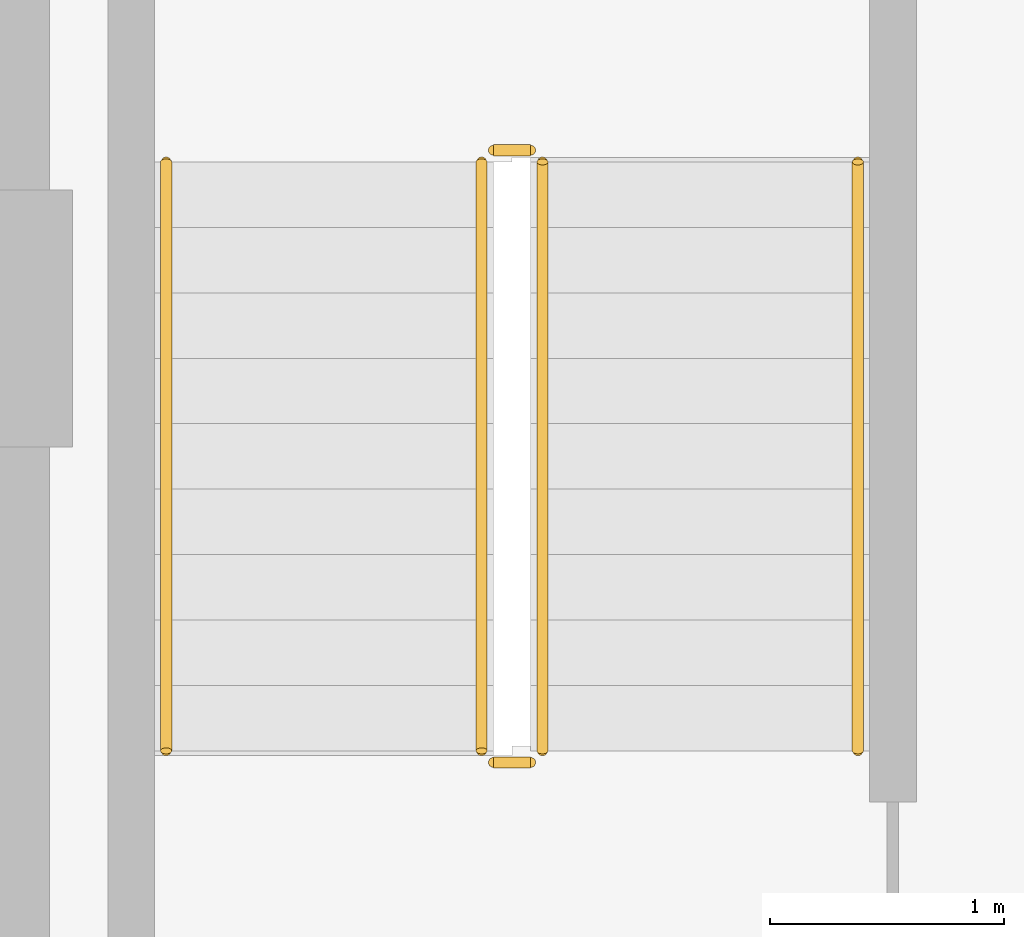
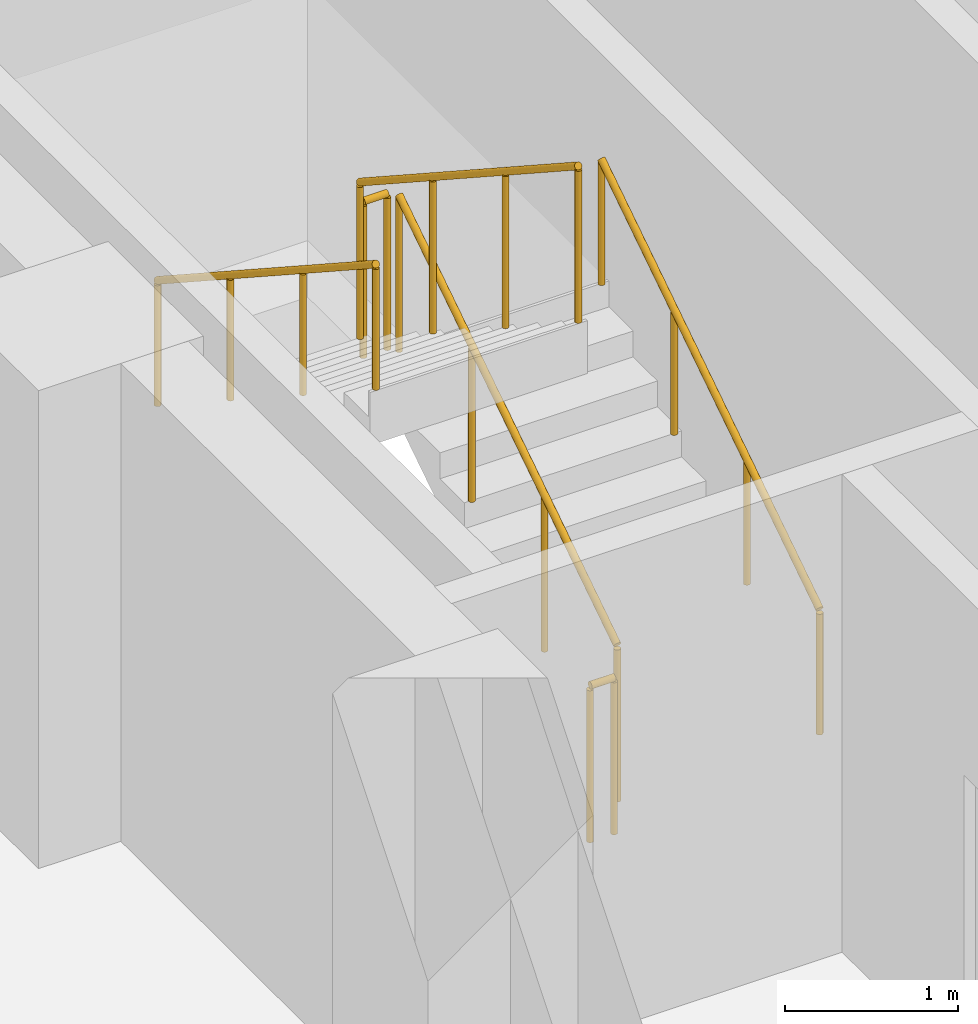
# One storey, part 12 of 15: 6 railings.
"""IFC4 building model written with IfcOpenShell, lengths in metres."""

from ifc_helpers import new_model, si_unit, direction, frame, origin, origin_2d, place, context, subcontext, project, spatial, circle, extrude, material, type_object, element, save


model = new_model("IFC4")

# Units and contexts
model_context = context("Model", 3, precision=1e-05, world=origin(), true_north=direction((0.0, 1.0)))
body_context = subcontext(model_context, "Body", "Model", "MODEL_VIEW")
ifc_project = project(units=[si_unit("LENGTHUNIT", "METRE"), si_unit("AREAUNIT", "SQUARE_METRE"), si_unit("VOLUMEUNIT", "CUBIC_METRE"), si_unit("PLANEANGLEUNIT", "RADIAN"), si_unit("MASSUNIT", "GRAM", prefix="KILO")], contexts=[model_context])

# Site, building, storey
site_placement = place(None, origin())
site = spatial("IfcSite", under=ifc_project, at=site_placement, CompositionType="ELEMENT")
building_placement = place(site_placement, origin())
building = spatial("IfcBuilding", under=site, at=building_placement, Name="Nuvemarco Arch Tower", CompositionType="ELEMENT")
storey_placement = place(building_placement, frame((0.0, 0.0, 86.0)))
storey = spatial("IfcBuildingStorey", under=building, at=storey_placement, Name="L22", CompositionType="ELEMENT", Elevation=86.0)

# Railings
ifc_material_1 = material(Name="Brushed stainless steel handrail", Category="steel")
railing_type_1 = type_object("IfcRailingType", Name="RL-HANDRAIL-900", PredefinedType="HANDRAIL", material=ifc_material_1)
railing_1_placement = place(storey_placement, frame((-13.590087890625, 2.64990234375, 0.1826171875)))
element("IfcRailing", 1, at=railing_1_placement, inside=storey, type_object=railing_type_1, Name="L22 ST-1 stair handrail 1", PredefinedType="HANDRAIL", context=body_context, shape_type="SweptSolid", body=[
    extrude(circle(Radius=0.02392578125, at=origin_2d()), frame((0.0, 0.0, 0.8759765625), z_axis=(0.0, 0.837786554691, 0.545997883492), x_axis=(-1.0, 0.0, 0.0)), (0.0, 0.0, 1.0), 3.008056640625),
    extrude(circle(Radius=0.02099609375, at=origin_2d()), origin(), (0.0, 0.0, 1.0), 0.851806640625),
    extrude(circle(Radius=0.02099609375, at=origin_2d()), frame((0.0, 0.840087890625, 0.54736328125)), (0.0, 0.0, 1.0), 0.851806640625),
    extrude(circle(Radius=0.02099609375, at=origin_2d()), frame((0.0, 1.679931640625, 1.094970703125)), (0.0, 0.0, 1.0), 0.851806640625),
    extrude(circle(Radius=0.02099609375, at=origin_2d()), frame((0.0, 2.52001953125, 1.642333984375)), (0.0, 0.0, 1.0), 0.851806640625),
])
railing_2_placement = place(storey_placement, frame((-16.550048828125, 5.169921875, 2.007568359375)))
element("IfcRailing", 2, at=railing_2_placement, inside=storey, type_object=railing_type_1, Name="L22 ST-1 stair handrail 2", PredefinedType="HANDRAIL", context=body_context, shape_type="SweptSolid", body=[
    extrude(circle(Radius=0.02392578125, at=origin_2d()), frame((0.0, 0.0, 0.8759765625), z_axis=(0.0, -0.837786554691, 0.545997883492), x_axis=(1.0, 0.0, 0.0)), (0.0, 0.0, 1.0), 3.008056640625),
    extrude(circle(Radius=0.02099609375, at=origin_2d()), origin(), (0.0, 0.0, 1.0), 0.851806640625),
    extrude(circle(Radius=0.02099609375, at=origin_2d()), frame((0.0, -0.840087890625, 0.54736328125)), (0.0, 0.0, 1.0), 0.851806640625),
    extrude(circle(Radius=0.02099609375, at=origin_2d()), frame((0.0, -1.679931640625, 1.094970703125)), (0.0, 0.0, 1.0), 0.851806640625),
    extrude(circle(Radius=0.02099609375, at=origin_2d()), frame((0.0, -2.52001953125, 1.642333984375)), (0.0, 0.0, 1.0), 0.851806640625),
])
ifc_material_2 = material(Name="Painted balustrade steel S355", Category="steel")
railing_type_2 = type_object("IfcRailingType", Name="RL-STAIR-GUARD", PredefinedType="GUARDRAIL", material=ifc_material_2)
railing_3_placement = place(storey_placement, frame((-14.93994140625, 2.64990234375, 0.1826171875)))
element("IfcRailing", 3, at=railing_3_placement, inside=storey, type_object=railing_type_2, Name="L22 ST-1 stair guard 1", PredefinedType="GUARDRAIL", context=body_context, shape_type="SweptSolid", body=[
    extrude(circle(Radius=0.02392578125, at=origin_2d()), frame((0.0, 0.0, 1.09619140625), z_axis=(0.0, 0.837786554691, 0.545997883492), x_axis=(-1.0, 0.0, 0.0)), (0.0, 0.0, 1.0), 3.008056640625),
    extrude(circle(Radius=0.02099609375, at=origin_2d()), origin(), (0.0, 0.0, 1.0), 1.072021484375),
    extrude(circle(Radius=0.02099609375, at=origin_2d()), frame((0.0, 0.840087890625, 0.54736328125)), (0.0, 0.0, 1.0), 1.072021484375),
    extrude(circle(Radius=0.02099609375, at=origin_2d()), frame((0.0, 1.679931640625, 1.094970703125)), (0.0, 0.0, 1.0), 1.072021484375),
    extrude(circle(Radius=0.02099609375, at=origin_2d()), frame((0.0, 2.52001953125, 1.642333984375)), (0.0, 0.0, 1.0), 1.072021484375),
])
railing_4_placement = place(storey_placement, frame((-14.989990234375, 5.219970703125, 1.824951171875)))
element("IfcRailing", 4, at=railing_4_placement, inside=storey, type_object=railing_type_2, Name="L22 ST-1 stair guard 2", PredefinedType="GUARDRAIL", context=body_context, shape_type="SweptSolid", body=[
    extrude(circle(Radius=0.02392578125, at=origin_2d()), frame((0.0, 0.0, 1.09619140625), z_axis=(-1.0, 0.0, 0.0), x_axis=(0.0, -1.0, 0.0)), (0.0, 0.0, 1.0), 0.159912109375),
    extrude(circle(Radius=0.02099609375, at=origin_2d()), origin(), (0.0, 0.0, 1.0), 1.072021484375),
    extrude(circle(Radius=0.02099609375, at=origin_2d()), frame((-0.159912109375, 0.0, 0.0)), (0.0, 0.0, 1.0), 1.072021484375),
])
railing_5_placement = place(storey_placement, frame((-15.199951171875, 5.169921875, 2.007568359375)))
element("IfcRailing", 5, at=railing_5_placement, inside=storey, type_object=railing_type_2, Name="L22 ST-1 stair guard 3", PredefinedType="GUARDRAIL", context=body_context, shape_type="SweptSolid", body=[
    extrude(circle(Radius=0.02392578125, at=origin_2d()), frame((0.0, 0.0, 1.09619140625), z_axis=(0.0, -0.837786554691, 0.545997883492), x_axis=(1.0, 0.0, 0.0)), (0.0, 0.0, 1.0), 3.008056640625),
    extrude(circle(Radius=0.02099609375, at=origin_2d()), origin(), (0.0, 0.0, 1.0), 1.072021484375),
    extrude(circle(Radius=0.02099609375, at=origin_2d()), frame((0.0, -0.840087890625, 0.54736328125)), (0.0, 0.0, 1.0), 1.072021484375),
    extrude(circle(Radius=0.02099609375, at=origin_2d()), frame((0.0, -1.679931640625, 1.094970703125)), (0.0, 0.0, 1.0), 1.072021484375),
    extrude(circle(Radius=0.02099609375, at=origin_2d()), frame((0.0, -2.52001953125, 1.642333984375)), (0.0, 0.0, 1.0), 1.072021484375),
])
railing_6_placement = place(storey_placement, frame((-14.989990234375, 2.60009765625, 0.0)))
element("IfcRailing", 6, at=railing_6_placement, inside=storey, type_object=railing_type_2, Name="L22 ST-1 stair guard 4", PredefinedType="GUARDRAIL", context=body_context, shape_type="SweptSolid", body=[
    extrude(circle(Radius=0.02392578125, at=origin_2d()), frame((0.0, 0.0, 1.09619140625), z_axis=(-1.0, 0.0, 0.0), x_axis=(0.0, -1.0, 0.0)), (0.0, 0.0, 1.0), 0.159912109375),
    extrude(circle(Radius=0.02099609375, at=origin_2d()), origin(), (0.0, 0.0, 1.0), 1.072021484375),
    extrude(circle(Radius=0.02099609375, at=origin_2d()), frame((-0.159912109375, 0.0, 0.0)), (0.0, 0.0, 1.0), 1.072021484375),
])

save(model, "model.ifc")
